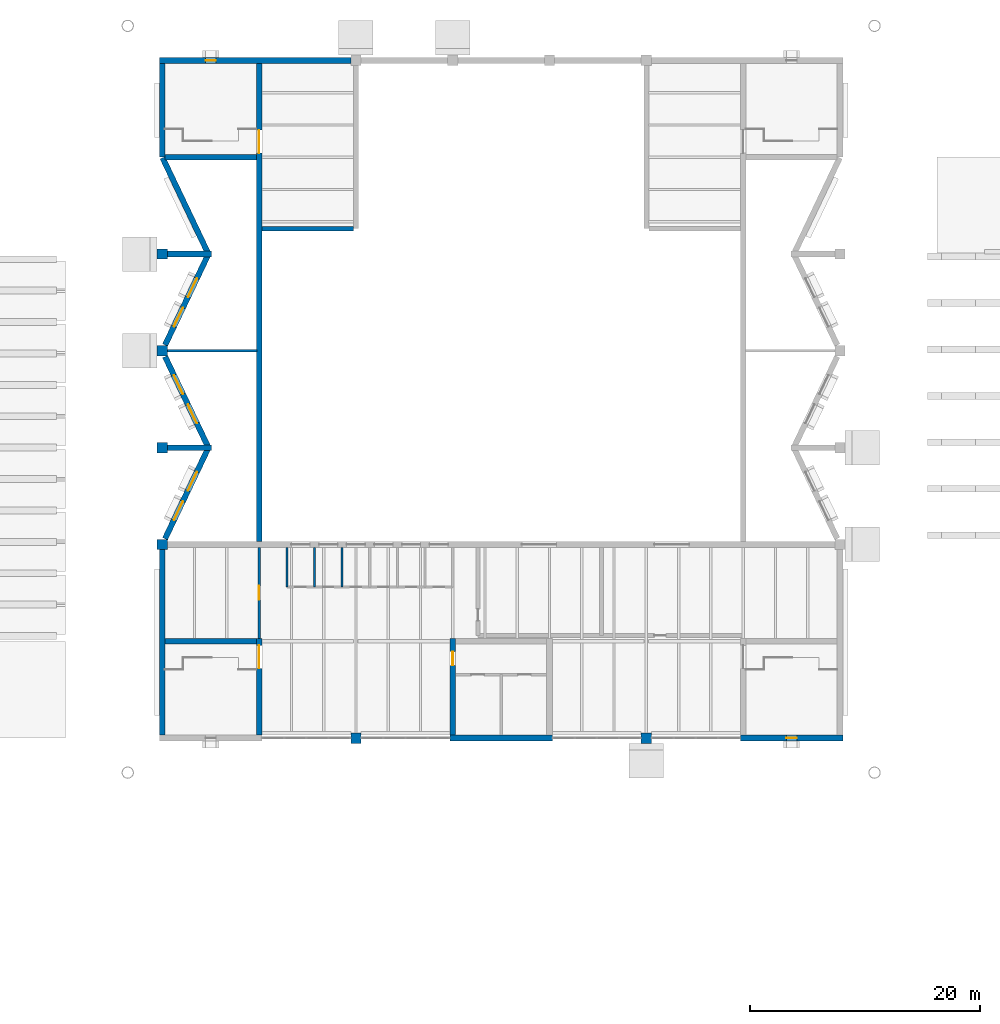
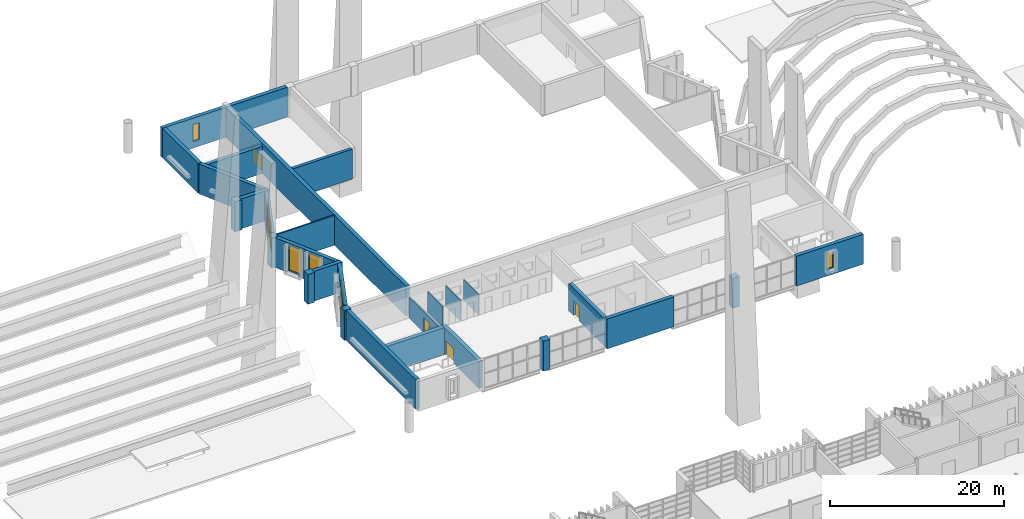
# One storey, part 62 of 88: 28 walls, 8 windows, 4 doors, 12 openings.
"""IFC4 building model written with IfcOpenShell, lengths in metres."""

from ifc_helpers import new_model, si_unit, direction, frame, frame_2d, origin, place, context, subcontext, project, spatial, rectangle, extrude, material, layer, layer_set, type_object, element, fill, save


model = new_model("IFC4")

# Units and contexts
model_context = context("Model", 3, precision=1e-05, world=origin(), true_north=direction((0.0, 1.0)))
body_context = subcontext(model_context, "Body", "Model", "MODEL_VIEW")
ifc_project = project(units=[si_unit("LENGTHUNIT", "METRE"), si_unit("AREAUNIT", "SQUARE_METRE"), si_unit("VOLUMEUNIT", "CUBIC_METRE"), si_unit("PLANEANGLEUNIT", "RADIAN"), si_unit("MASSUNIT", "GRAM", prefix="KILO")], contexts=[model_context])

# Site, building, storey
site_placement = place(None, origin())
site = spatial("IfcSite", under=ifc_project, at=site_placement, CompositionType="ELEMENT")
building_placement = place(site_placement, origin())
building = spatial("IfcBuilding", under=site, at=building_placement, Name="Cresset Court Congress Hotel", CompositionType="ELEMENT")
storey_placement = place(building_placement, frame((0.0, 0.0, 14.39990234375)))
storey = spatial("IfcBuildingStorey", under=building, at=storey_placement, Name="L03", CompositionType="ELEMENT", Elevation=14.39990234375)

# Wall
ifc_material_1 = material(Name="Concrete C35", Category="concrete")
ifc_layer_1 = layer(ifc_material_1, 0.199951171875)
ifc_layer_set_1 = layer_set([ifc_layer_1], Name="Gallery cross wall 200")
wall_type_1 = type_object("IfcWallType", Name="Gallery cross wall 200", PredefinedType="PARTITIONING", material=ifc_layer_set_1)
wall_1_placement = place(storey_placement, frame((59.25, 92.39990234375, 0.0), z_axis=(0.0, 0.0, 1.0), x_axis=(1.0, 0.0, 0.0)))
element("IfcWall", 1, at=wall_1_placement, inside=storey, type_object=wall_type_1, Name="Wall CP-galWL03", PredefinedType="PARTITIONING", context=body_context, shape_type="SweptSolid", body=[
    extrude(rectangle(XDim=7.75, YDim=0.199951171875, at=frame_2d((3.875, 0.0))), origin(), (0.0, 0.0, 1.0), 4.2001953125),
])

# Wall, opening, door
ifc_material_2 = material(Name="Concrete C50", Category="concrete")
ifc_layer_2 = layer(ifc_material_2, 0.5)
ifc_layer_set_2 = layer_set([ifc_layer_2], Name="Hall inner wall 500")
wall_type_2 = type_object("IfcWallType", Name="Hall inner wall 500", PredefinedType="SOLIDWALL", material=ifc_layer_set_2)
wall_2_placement = place(storey_placement, frame((67.199951171875, 75.85009765625, 0.0), z_axis=(0.0, 0.0, 1.0), x_axis=(0.0, 1.0, 0.0)))
wall_2 = element("IfcWall", 2, at=wall_2_placement, inside=storey, type_object=wall_type_2, Name="Wall CI-WL03", PredefinedType="SOLIDWALL", context=body_context, shape_type="SweptSolid", body=[
    extrude(rectangle(XDim=41.5, YDim=0.5, at=frame_2d((20.75, 0.0))), origin(), (0.0, 0.0, 1.0), 4.2001953125),
])
opening_1_placement = place(wall_2_placement, frame((33.699951171875, 0.0, 0.0)))
opening_1 = element("IfcOpeningElement", 3, at=opening_1_placement, cuts=wall_2, Name="Opening DC-03-03", PredefinedType="OPENING", context=body_context, shape_type="SweptSolid", body=[
    extrude(rectangle(XDim=2.0, YDim=2.10009765625, at=frame_2d((1.0, 1.050048828125))), frame((0.0, 0.260009765625, 0.0), z_axis=(0.0, -1.0, 0.0), x_axis=(1.0, 0.0, 0.0)), (0.0, 0.0, 1.0), 0.52001953125),
])
ifc_material_3 = material(Name="Timber", Category="wood")
door_type_1 = type_object("IfcDoorType", Name="Double swing door 2000x2100 FD60", OperationType="DOUBLE_DOOR_DOUBLE_SWING", PredefinedType="DOOR", material=ifc_material_3)
door_1_placement = place(opening_1_placement, origin())
door_1 = element("IfcDoor", 4, at=door_1_placement, inside=storey, type_object=door_type_1, Name="Stair door ST-C3 L03", OperationType="DOUBLE_DOOR_DOUBLE_SWING", OverallHeight=2.10009765625, OverallWidth=2.0, PredefinedType="DOOR", context=body_context, shape_type="SweptSolid", body=[
    extrude(rectangle(XDim=2.0, YDim=2.10009765625, at=frame_2d((1.0, 1.050048828125))), frame((0.0, 0.02490234375, 0.0), z_axis=(0.0, -1.0, 0.0), x_axis=(1.0, 0.0, 0.0)), (0.0, 0.0, 1.0), 0.050048828125),
])
fill(opening_1, door_1)

wall_3_placement = place(storey_placement, frame((67.199951171875, 59.050048828125, 0.0), z_axis=(0.0, 0.0, 1.0), x_axis=(0.0, 1.0, 0.0)))
wall_3 = element("IfcWall", 5, at=wall_3_placement, inside=storey, type_object=wall_type_2, Name="Wall CC-C1EL03", PredefinedType="SOLIDWALL", context=body_context, shape_type="SweptSolid", body=[
    extrude(rectangle(XDim=8.39990234375, YDim=0.5, at=frame_2d((4.199951171875, 0.0))), origin(), (0.0, 0.0, 1.0), 3.800048828125),
])
opening_2_placement = place(wall_3_placement, frame((5.800048828125, 0.0, 0.0)))
opening_2 = element("IfcOpeningElement", 6, at=opening_2_placement, cuts=wall_3, Name="Opening DC-03-01", PredefinedType="OPENING", context=body_context, shape_type="SweptSolid", body=[
    extrude(rectangle(XDim=2.0, YDim=2.10009765625, at=frame_2d((1.0, 1.050048828125))), frame((0.0, 0.260009765625, 0.0), z_axis=(0.0, -1.0, 0.0), x_axis=(1.0, 0.0, 0.0)), (0.0, 0.0, 1.0), 0.52001953125),
])
door_2_placement = place(opening_2_placement, origin())
door_2 = element("IfcDoor", 7, at=door_2_placement, inside=storey, type_object=door_type_1, Name="Stair door ST-C1 L03", OperationType="DOUBLE_DOOR_DOUBLE_SWING", OverallHeight=2.10009765625, OverallWidth=2.0, PredefinedType="DOOR", context=body_context, shape_type="SweptSolid", body=[
    extrude(rectangle(XDim=2.0, YDim=2.10009765625, at=frame_2d((1.0, 1.050048828125))), frame((0.0, 0.02490234375, 0.0), z_axis=(0.0, -1.0, 0.0), x_axis=(1.0, 0.0, 0.0)), (0.0, 0.0, 1.0), 0.050048828125),
])
fill(opening_2, door_2)

# Walls
for number, where, z_axis, x_axis, name in (
    (8, (59.050048828125, 67.199951171875, 0.0), (0.0, 0.0, 1.0), (1.0, 0.0, 0.0), "Wall CC-C1NL03"),
    (9, (59.050048828125, 109.199951171875, 0.0), (0.0, 0.0, 1.0), (1.0, 0.0, 0.0), "Wall CC-C3SL03"),
):
    element("IfcWall", number, at=place(storey_placement, frame(where, z_axis=z_axis, x_axis=x_axis)), inside=storey, type_object=wall_type_2, Name=name, PredefinedType="SOLIDWALL", context=body_context, shape_type="SweptSolid", body=[
        extrude(rectangle(XDim=7.89990234375, YDim=0.5, at=frame_2d((3.949951171875, 0.0))), origin(), (0.0, 0.0, 1.0), 3.800048828125),
    ])

# Wall, opening, door
wall_4_placement = place(storey_placement, frame((84.0, 59.050048828125, 0.0), z_axis=(0.0, 0.0, 1.0), x_axis=(0.0, 1.0, 0.0)))
wall_4 = element("IfcWall", 10, at=wall_4_placement, inside=storey, type_object=wall_type_2, Name="Wall CC-C1WL03", PredefinedType="SOLIDWALL", context=body_context, shape_type="SweptSolid", body=[
    extrude(rectangle(XDim=8.39990234375, YDim=0.5, at=frame_2d((4.199951171875, 0.0))), origin(), (0.0, 0.0, 1.0), 3.800048828125),
])
opening_3_placement = place(wall_4_placement, frame((6.050048828125, 0.0, 0.0)))
opening_3 = element("IfcOpeningElement", 11, at=opening_3_placement, cuts=wall_4, Name="Opening DC-03-05", PredefinedType="OPENING", context=body_context, shape_type="SweptSolid", body=[
    extrude(rectangle(XDim=1.199951171875, YDim=2.10009765625, at=frame_2d((0.60009765625, 1.050048828125))), frame((0.0, 0.260009765625, 0.0), z_axis=(0.0, -1.0, 0.0), x_axis=(1.0, 0.0, 0.0)), (0.0, 0.0, 1.0), 0.52001953125),
])
ifc_material_4 = material(Name="Timber", Category="wood")
door_type_2 = type_object("IfcDoorType", Name="Single swing door 1200x2100 FD60", OperationType="SINGLE_SWING_LEFT", PredefinedType="DOOR", material=ifc_material_4)
door_3_placement = place(opening_3_placement, origin())
door_3 = element("IfcDoor", 12, at=door_3_placement, inside=storey, type_object=door_type_2, Name="Lift lobby door L03", OperationType="SINGLE_SWING_LEFT", OverallHeight=2.10009765625, OverallWidth=1.199951171875, PredefinedType="DOOR", context=body_context, shape_type="SweptSolid", body=[
    extrude(rectangle(XDim=1.199951171875, YDim=2.10009765625, at=frame_2d((0.60009765625, 1.050048828125))), frame((0.0, 0.02490234375, 0.0), z_axis=(0.0, -1.0, 0.0), x_axis=(1.0, 0.0, 0.0)), (0.0, 0.0, 1.0), 0.050048828125),
])
fill(opening_3, door_3)

# Wall
ifc_material_5 = material(Name="Limestone-faced precast concrete C50", Category="masonry")
ifc_layer_3 = layer(ifc_material_5, 0.5)
ifc_layer_set_3 = layer_set([ifc_layer_3], Name="Hall perimeter wall 500")
wall_type_3 = type_object("IfcWallType", Name="Hall perimeter wall 500", PredefinedType="SOLIDWALL", material=ifc_layer_set_3)
wall_5_placement = place(storey_placement, frame((92.64990234375, 58.800048828125, 0.0), z_axis=(0.0, 0.0, 1.0), x_axis=(-1.0, 0.0, 0.0)))
element("IfcWall", 13, at=wall_5_placement, inside=storey, type_object=wall_type_3, Name="Wall CW-SL03-2", PredefinedType="SOLIDWALL", context=body_context, shape_type="SweptSolid", body=[
    extrude(rectangle(XDim=8.89990234375, YDim=0.5, at=frame_2d((4.449951171875, 0.0))), origin(), (0.0, 0.0, 1.0), 4.2001953125),
])

# Wall, opening, window
wall_6_placement = place(storey_placement, frame((117.85009765625, 58.800048828125, 0.0), z_axis=(0.0, 0.0, 1.0), x_axis=(-1.0, 0.0, 0.0)))
wall_6 = element("IfcWall", 14, at=wall_6_placement, inside=storey, type_object=wall_type_3, Name="Wall CW-SL03-3", PredefinedType="SOLIDWALL", context=body_context, shape_type="SweptSolid", body=[
    extrude(rectangle(XDim=8.900146484375, YDim=0.5, at=frame_2d((4.4501953125, 0.0))), origin(), (0.0, 0.0, 1.0), 4.2001953125),
])
opening_4_placement = place(wall_6_placement, frame((4.0, 0.0, 0.89990234375)))
opening_4 = element("IfcOpeningElement", 15, at=opening_4_placement, cuts=wall_6, Name="Opening NC-03-C2", PredefinedType="OPENING", context=body_context, shape_type="SweptSolid", body=[
    extrude(rectangle(XDim=0.89990234375, YDim=2.39990234375, at=frame_2d((0.449951171875, 1.199951171875))), frame((0.0, 0.260009765625, 0.0), z_axis=(0.0, -1.0, 0.0), x_axis=(1.0, 0.0, 0.0)), (0.0, 0.0, 1.0), 0.52001953125),
])
ifc_material_6 = material(Name="Aluminium and glass", Category="aluminium")
window_type_1 = type_object("IfcWindowType", Name="Fixed window 900x2400", PartitioningType="SINGLE_PANEL", PredefinedType="WINDOW", material=ifc_material_6)
window_1_placement = place(opening_4_placement, origin())
window_1 = element("IfcWindow", 16, at=window_1_placement, inside=storey, type_object=window_type_1, Name="Window NC-03-C2", OverallHeight=2.39990234375, OverallWidth=0.89990234375, PartitioningType="SINGLE_PANEL", PredefinedType="WINDOW", context=body_context, shape_type="SweptSolid", body=[
    extrude(rectangle(XDim=0.89990234375, YDim=2.39990234375, at=frame_2d((0.449951171875, 1.199951171875))), frame((0.0, 0.030029296875, 0.0), z_axis=(0.0, -1.0, 0.0), x_axis=(1.0, 0.0, 0.0)), (0.0, 0.0, 1.0), 0.06005859375),
])
fill(opening_4, window_1)

wall_7_placement = place(storey_placement, frame((58.550048828125, 117.60009765625, 0.0), z_axis=(0.0, 0.0, 1.0), x_axis=(1.0, 0.0, 0.0)))
wall_7 = element("IfcWall", 17, at=wall_7_placement, inside=storey, type_object=wall_type_3, Name="Wall CW-NL03-5", PredefinedType="SOLIDWALL", context=body_context, shape_type="SweptSolid", body=[
    extrude(rectangle(XDim=16.599853515625, YDim=0.5, at=frame_2d((8.2998046875, 0.0))), origin(), (0.0, 0.0, 1.0), 4.2001953125),
])
opening_5_placement = place(wall_7_placement, frame((4.0, 0.0, 0.89990234375)))
opening_5 = element("IfcOpeningElement", 18, at=opening_5_placement, cuts=wall_7, Name="Opening NC-03-C3", PredefinedType="OPENING", context=body_context, shape_type="SweptSolid", body=[
    extrude(rectangle(XDim=0.89990234375, YDim=2.39990234375, at=frame_2d((0.449951171875, 1.199951171875))), frame((0.0, 0.260009765625, 0.0), z_axis=(0.0, -1.0, 0.0), x_axis=(1.0, 0.0, 0.0)), (0.0, 0.0, 1.0), 0.52001953125),
])
window_2_placement = place(opening_5_placement, origin())
window_2 = element("IfcWindow", 19, at=window_2_placement, inside=storey, type_object=window_type_1, Name="Window NC-03-C3", OverallHeight=2.39990234375, OverallWidth=0.89990234375, PartitioningType="SINGLE_PANEL", PredefinedType="WINDOW", context=body_context, shape_type="SweptSolid", body=[
    extrude(rectangle(XDim=0.89990234375, YDim=2.39990234375, at=frame_2d((0.449951171875, 1.199951171875))), frame((0.0, 0.030029296875, 0.0), z_axis=(0.0, -1.0, 0.0), x_axis=(1.0, 0.0, 0.0)), (0.0, 0.0, 1.0), 0.06005859375),
])
fill(opening_5, window_2)

# Walls
wall_8_placement = place(storey_placement, frame((58.800048828125, 109.199951171875, 0.0), z_axis=(0.0, 0.0, 1.0), x_axis=(0.0, 1.0, 0.0)))
element("IfcWall", 20, at=wall_8_placement, inside=storey, type_object=wall_type_3, Name="Wall CW-WL03-1.1", PredefinedType="SOLIDWALL", context=body_context, shape_type="SweptSolid", body=[
    extrude(rectangle(XDim=8.150146484375, YDim=0.5, at=frame_2d((4.0751953125, 0.0))), origin(), (0.0, 0.0, 1.0), 4.2001953125),
])
wall_9_placement = place(storey_placement, frame((62.734619140625, 100.9375, 0.0), z_axis=(0.0, 0.0, 1.0), x_axis=(-0.429953375566, 0.902851092284, 0.0)))
element("IfcWall", 21, at=wall_9_placement, inside=storey, type_object=wall_type_3, Name="Wall CW-WL03-1.2", PredefinedType="SOLIDWALL", context=body_context, shape_type="SweptSolid", body=[
    extrude(rectangle(XDim=9.09619140625, YDim=0.5, at=frame_2d((4.548095703125, 0.0))), origin(), (0.0, 0.0, 1.0), 4.2001953125),
])

# Wall, openings, windows
wall_10_placement = place(storey_placement, frame((59.0380859375, 92.89990234375, 0.0), z_axis=(0.0, 0.0, 1.0), x_axis=(0.429934682616, 0.902859993955, 0.0)))
wall_10 = element("IfcWall", 22, at=wall_10_placement, inside=storey, type_object=wall_type_3, Name="Wall CW-WL03-2", PredefinedType="SOLIDWALL", context=body_context, shape_type="SweptSolid", body=[
    extrude(rectangle(XDim=8.597900390625, YDim=0.5, at=frame_2d((4.298828125, 0.0))), origin(), (0.0, 0.0, 1.0), 4.2001953125),
])
opening_6_placement = place(wall_10_placement, frame((4.6103515625, 0.0, 0.300048828125)))
opening_6 = element("IfcOpeningElement", 23, at=opening_6_placement, cuts=wall_10, Name="Opening NC-03-W0197", PredefinedType="OPENING", context=body_context, shape_type="SweptSolid", body=[
    extrude(rectangle(XDim=1.800048828125, YDim=3.60009765625, at=frame_2d((0.89990234375, 1.800048828125))), frame((0.0, 0.260009765625, 0.0), z_axis=(0.0, -1.0, 0.0), x_axis=(1.0, 0.0, 0.0)), (0.0, 0.0, 1.0), 0.52001953125),
])
opening_7_placement = place(wall_10_placement, frame((1.785888671875, 0.0, 0.300048828125)))
opening_7 = element("IfcOpeningElement", 24, at=opening_7_placement, cuts=wall_10, Name="Opening NC-03-W0222", PredefinedType="OPENING", context=body_context, shape_type="SweptSolid", body=[
    extrude(rectangle(XDim=1.800048828125, YDim=3.60009765625, at=frame_2d((0.89990234375, 1.800048828125))), frame((0.0, 0.260009765625, 0.0), z_axis=(0.0, -1.0, 0.0), x_axis=(1.0, 0.0, 0.0)), (0.0, 0.0, 1.0), 0.52001953125),
])
ifc_material_7 = material(Name="Aluminium and glass", Category="aluminium")
window_type_2 = type_object("IfcWindowType", Name="Fixed window 1800x3600", PartitioningType="SINGLE_PANEL", PredefinedType="WINDOW", material=ifc_material_7)
window_3_placement = place(opening_6_placement, origin())
window_3 = element("IfcWindow", 25, at=window_3_placement, inside=storey, type_object=window_type_2, Name="Window NC-03-W0197", OverallHeight=3.60009765625, OverallWidth=1.800048828125, PartitioningType="SINGLE_PANEL", PredefinedType="WINDOW", context=body_context, shape_type="SweptSolid", body=[
    extrude(rectangle(XDim=1.800048828125, YDim=3.60009765625, at=frame_2d((0.89990234375, 1.800048828125))), frame((0.0, 0.030029296875, 0.0), z_axis=(0.0, -1.0, 0.0), x_axis=(1.0, 0.0, 0.0)), (0.0, 0.0, 1.0), 0.06005859375),
])
fill(opening_6, window_3)
window_4_placement = place(opening_7_placement, origin())
window_4 = element("IfcWindow", 26, at=window_4_placement, inside=storey, type_object=window_type_2, Name="Window NC-03-W0222", OverallHeight=3.60009765625, OverallWidth=1.800048828125, PartitioningType="SINGLE_PANEL", PredefinedType="WINDOW", context=body_context, shape_type="SweptSolid", body=[
    extrude(rectangle(XDim=1.800048828125, YDim=3.60009765625, at=frame_2d((0.89990234375, 1.800048828125))), frame((0.0, 0.030029296875, 0.0), z_axis=(0.0, -1.0, 0.0), x_axis=(1.0, 0.0, 0.0)), (0.0, 0.0, 1.0), 0.06005859375),
])
fill(opening_7, window_4)

wall_11_placement = place(storey_placement, frame((62.734619140625, 84.137451171875, 0.0), z_axis=(0.0, 0.0, 1.0), x_axis=(-0.429945705131, 0.902854745039, 0.0)))
wall_11 = element("IfcWall", 27, at=wall_11_placement, inside=storey, type_object=wall_type_3, Name="Wall CW-WL03-3", PredefinedType="SOLIDWALL", context=body_context, shape_type="SweptSolid", body=[
    extrude(rectangle(XDim=8.59765625, YDim=0.5, at=frame_2d((4.298828125, 0.0))), origin(), (0.0, 0.0, 1.0), 4.2001953125),
])
opening_8_placement = place(wall_11_placement, frame((5.01171875, 0.0, 0.300048828125)))
opening_8 = element("IfcOpeningElement", 28, at=opening_8_placement, cuts=wall_11, Name="Opening NC-03-W0281", PredefinedType="OPENING", context=body_context, shape_type="SweptSolid", body=[
    extrude(rectangle(XDim=1.800048828125, YDim=3.60009765625, at=frame_2d((0.89990234375, 1.800048828125))), frame((0.0, 0.260009765625, 0.0), z_axis=(0.0, -1.0, 0.0), x_axis=(1.0, 0.0, 0.0)), (0.0, 0.0, 1.0), 0.52001953125),
])
opening_9_placement = place(wall_11_placement, frame((2.1875, 0.0, 0.300048828125)))
opening_9 = element("IfcOpeningElement", 29, at=opening_9_placement, cuts=wall_11, Name="Opening NC-03-W0306", PredefinedType="OPENING", context=body_context, shape_type="SweptSolid", body=[
    extrude(rectangle(XDim=1.800048828125, YDim=3.60009765625, at=frame_2d((0.89990234375, 1.800048828125))), frame((0.0, 0.260009765625, 0.0), z_axis=(0.0, -1.0, 0.0), x_axis=(1.0, 0.0, 0.0)), (0.0, 0.0, 1.0), 0.52001953125),
])
window_5_placement = place(opening_8_placement, origin())
window_5 = element("IfcWindow", 30, at=window_5_placement, inside=storey, type_object=window_type_2, Name="Window NC-03-W0281", OverallHeight=3.60009765625, OverallWidth=1.800048828125, PartitioningType="SINGLE_PANEL", PredefinedType="WINDOW", context=body_context, shape_type="SweptSolid", body=[
    extrude(rectangle(XDim=1.800048828125, YDim=3.60009765625, at=frame_2d((0.89990234375, 1.800048828125))), frame((0.0, 0.030029296875, 0.0), z_axis=(0.0, -1.0, 0.0), x_axis=(1.0, 0.0, 0.0)), (0.0, 0.0, 1.0), 0.06005859375),
])
fill(opening_8, window_5)
window_6_placement = place(opening_9_placement, origin())
window_6 = element("IfcWindow", 31, at=window_6_placement, inside=storey, type_object=window_type_2, Name="Window NC-03-W0306", OverallHeight=3.60009765625, OverallWidth=1.800048828125, PartitioningType="SINGLE_PANEL", PredefinedType="WINDOW", context=body_context, shape_type="SweptSolid", body=[
    extrude(rectangle(XDim=1.800048828125, YDim=3.60009765625, at=frame_2d((0.89990234375, 1.800048828125))), frame((0.0, 0.030029296875, 0.0), z_axis=(0.0, -1.0, 0.0), x_axis=(1.0, 0.0, 0.0)), (0.0, 0.0, 1.0), 0.06005859375),
])
fill(opening_9, window_6)

wall_12_placement = place(storey_placement, frame((59.0380859375, 76.10009765625, 0.0), z_axis=(0.0, 0.0, 1.0), x_axis=(0.429945705131, 0.902854745039, 0.0)))
wall_12 = element("IfcWall", 32, at=wall_12_placement, inside=storey, type_object=wall_type_3, Name="Wall CW-WL03-4", PredefinedType="SOLIDWALL", context=body_context, shape_type="SweptSolid", body=[
    extrude(rectangle(XDim=8.59765625, YDim=0.5, at=frame_2d((4.298828125, 0.0))), origin(), (0.0, 0.0, 1.0), 4.2001953125),
])
opening_10_placement = place(wall_12_placement, frame((4.6103515625, 0.0, 0.300048828125)))
opening_10 = element("IfcOpeningElement", 33, at=opening_10_placement, cuts=wall_12, Name="Opening NC-03-W0365", PredefinedType="OPENING", context=body_context, shape_type="SweptSolid", body=[
    extrude(rectangle(XDim=1.800048828125, YDim=3.60009765625, at=frame_2d((0.89990234375, 1.800048828125))), frame((0.0, 0.260009765625, 0.0), z_axis=(0.0, -1.0, 0.0), x_axis=(1.0, 0.0, 0.0)), (0.0, 0.0, 1.0), 0.52001953125),
])
opening_11_placement = place(wall_12_placement, frame((1.785888671875, 0.0, 0.300048828125)))
opening_11 = element("IfcOpeningElement", 34, at=opening_11_placement, cuts=wall_12, Name="Opening NC-03-W0390", PredefinedType="OPENING", context=body_context, shape_type="SweptSolid", body=[
    extrude(rectangle(XDim=1.800048828125, YDim=3.60009765625, at=frame_2d((0.89990234375, 1.800048828125))), frame((0.0, 0.260009765625, 0.0), z_axis=(0.0, -1.0, 0.0), x_axis=(1.0, 0.0, 0.0)), (0.0, 0.0, 1.0), 0.52001953125),
])
window_7_placement = place(opening_10_placement, origin())
window_7 = element("IfcWindow", 35, at=window_7_placement, inside=storey, type_object=window_type_2, Name="Window NC-03-W0365", OverallHeight=3.60009765625, OverallWidth=1.800048828125, PartitioningType="SINGLE_PANEL", PredefinedType="WINDOW", context=body_context, shape_type="SweptSolid", body=[
    extrude(rectangle(XDim=1.800048828125, YDim=3.60009765625, at=frame_2d((0.89990234375, 1.800048828125))), frame((0.0, 0.030029296875, 0.0), z_axis=(0.0, -1.0, 0.0), x_axis=(1.0, 0.0, 0.0)), (0.0, 0.0, 1.0), 0.06005859375),
])
fill(opening_10, window_7)
window_8_placement = place(opening_11_placement, origin())
window_8 = element("IfcWindow", 36, at=window_8_placement, inside=storey, type_object=window_type_2, Name="Window NC-03-W0390", OverallHeight=3.60009765625, OverallWidth=1.800048828125, PartitioningType="SINGLE_PANEL", PredefinedType="WINDOW", context=body_context, shape_type="SweptSolid", body=[
    extrude(rectangle(XDim=1.800048828125, YDim=3.60009765625, at=frame_2d((0.89990234375, 1.800048828125))), frame((0.0, 0.030029296875, 0.0), z_axis=(0.0, -1.0, 0.0), x_axis=(1.0, 0.0, 0.0)), (0.0, 0.0, 1.0), 0.06005859375),
])
fill(opening_11, window_8)

# Walls
wall_13_placement = place(storey_placement, frame((58.800048828125, 59.050048828125, 0.0), z_axis=(0.0, 0.0, 1.0), x_axis=(0.0, 1.0, 0.0)))
element("IfcWall", 37, at=wall_13_placement, inside=storey, type_object=wall_type_3, Name="Wall CW-WL03-5", PredefinedType="SOLIDWALL", context=body_context, shape_type="SweptSolid", body=[
    extrude(rectangle(XDim=16.099853515625, YDim=0.5, at=frame_2d((8.0498046875, 0.0))), origin(), (0.0, 0.0, 1.0), 4.2001953125),
])
for number, where, z_axis, x_axis, name in (
    (38, (63.050048828125, 100.800048828125, 0.0), (0.0, 0.0, 1.0), (-1.0, 0.0, 0.0), "Wall CW-WL03-R1"),
    (39, (63.050048828125, 84.0, 0.0), (0.0, 0.0, 1.0), (-1.0, 0.0, 0.0), "Wall CW-WL03-R2"),
):
    element("IfcWall", number, at=place(storey_placement, frame(where, z_axis=z_axis, x_axis=x_axis)), inside=storey, type_object=wall_type_3, Name=name, PredefinedType="SOLIDWALL", context=body_context, shape_type="SweptSolid", body=[
        extrude(rectangle(XDim=3.800048828125, YDim=0.5, at=frame_2d((1.89990234375, 0.0))), origin(), (0.0, 0.0, 1.0), 4.2001953125),
    ])
ifc_material_8 = material(Name="Concrete C50", Category="concrete")
ifc_layer_4 = layer(ifc_material_8, 0.89990234375)
ifc_layer_set_4 = layer_set([ifc_layer_4], Name="Hall pilaster 900x900")
wall_type_4 = type_object("IfcWallType", Name="Hall pilaster 900x900", PredefinedType="SOLIDWALL", material=ifc_layer_set_4)
wall_14_placement = place(storey_placement, frame((75.14990234375, 58.800048828125, 0.0), z_axis=(0.0, 0.0, 1.0), x_axis=(1.0, 0.0, 0.0)))
element("IfcWall", 40, at=wall_14_placement, inside=storey, type_object=wall_type_4, Name="Pilaster P-S1", PredefinedType="SOLIDWALL", context=body_context, shape_type="SweptSolid", body=[
    extrude(rectangle(XDim=0.900146484375, YDim=0.89990234375, at=frame_2d((0.4501953125, 0.0))), origin(), (0.0, 0.0, 1.0), 4.2001953125),
])
for number, where, z_axis, x_axis, name in (
    (41, (100.35009765625, 58.800048828125, 0.0), (0.0, 0.0, 1.0), (1.0, 0.0, 0.0), "Pilaster P-S2"),
    (42, (58.800048828125, 101.25, 0.0), (0.0, 0.0, 1.0), (0.0, -1.0, 0.0), "Pilaster P-W1"),
):
    element("IfcWall", number, at=place(storey_placement, frame(where, z_axis=z_axis, x_axis=x_axis)), inside=storey, type_object=wall_type_4, Name=name, PredefinedType="SOLIDWALL", context=body_context, shape_type="SweptSolid", body=[
        extrude(rectangle(XDim=0.89990234375, YDim=0.89990234375, at=frame_2d((0.449951171875, 0.0))), origin(), (0.0, 0.0, 1.0), 4.2001953125),
    ])
wall_15_placement = place(storey_placement, frame((58.800048828125, 92.85009765625, 0.0), z_axis=(0.0, 0.0, 1.0), x_axis=(0.0, -1.0, 0.0)))
element("IfcWall", 43, at=wall_15_placement, inside=storey, type_object=wall_type_4, Name="Pilaster P-W2", PredefinedType="SOLIDWALL", context=body_context, shape_type="SweptSolid", body=[
    extrude(rectangle(XDim=0.900146484375, YDim=0.89990234375, at=frame_2d((0.4501953125, 0.0))), origin(), (0.0, 0.0, 1.0), 4.2001953125),
])
wall_16_placement = place(storey_placement, frame((58.800048828125, 84.449951171875, 0.0), z_axis=(0.0, 0.0, 1.0), x_axis=(0.0, -1.0, 0.0)))
element("IfcWall", 44, at=wall_16_placement, inside=storey, type_object=wall_type_4, Name="Pilaster P-W3", PredefinedType="SOLIDWALL", context=body_context, shape_type="SweptSolid", body=[
    extrude(rectangle(XDim=0.89990234375, YDim=0.89990234375, at=frame_2d((0.449951171875, 0.0))), origin(), (0.0, 0.0, 1.0), 4.2001953125),
])
wall_17_placement = place(storey_placement, frame((58.800048828125, 76.050048828125, 0.0), z_axis=(0.0, 0.0, 1.0), x_axis=(0.0, -1.0, 0.0)))
element("IfcWall", 45, at=wall_17_placement, inside=storey, type_object=wall_type_4, Name="Pilaster P-W4", PredefinedType="SOLIDWALL", context=body_context, shape_type="SweptSolid", body=[
    extrude(rectangle(XDim=0.900146484375, YDim=0.89990234375, at=frame_2d((0.4501953125, 0.0))), origin(), (0.0, 0.0, 1.0), 4.2001953125),
])
ifc_material_9 = material(Name="Concrete C50", Category="concrete")
ifc_layer_5 = layer(ifc_material_9, 0.39990234375)
ifc_layer_set_5 = layer_set([ifc_layer_5], Name="Hall stage wall 400")
wall_type_5 = type_object("IfcWallType", Name="Hall stage wall 400", PredefinedType="SOLIDWALL", material=ifc_layer_set_5)
wall_18_placement = place(storey_placement, frame((67.449951171875, 103.0, 0.0), z_axis=(0.0, 0.0, 1.0), x_axis=(1.0, 0.0, 0.0)))
element("IfcWall", 46, at=wall_18_placement, inside=storey, type_object=wall_type_5, Name="Wall CW-1L03", PredefinedType="SOLIDWALL", context=body_context, shape_type="SweptSolid", body=[
    extrude(rectangle(XDim=7.925048828125, YDim=0.39990234375, at=frame_2d((3.96240234375, 0.0))), origin(), (0.0, 0.0, 1.0), 4.2001953125),
])
ifc_material_10 = material(Name="Acoustic double-leaf plasterboard on steel studs", Category="steel")
ifc_layer_6 = layer(ifc_material_10, 0.179931640625)
ifc_layer_set_6 = layer_set([ifc_layer_6], Name="Interpreter booth wall 180")
wall_type_6 = type_object("IfcWallType", Name="Interpreter booth wall 180", PredefinedType="PARTITIONING", material=ifc_layer_set_6)
for number, where, z_axis, x_axis, name in (
    (47, (69.60009765625, 71.89990234375, 0.0), (0.0, 0.0, 1.0), (0.0, 1.0, 0.0), "Wall CP-booth.0"),
    (48, (72.0, 71.89990234375, 0.0), (0.0, 0.0, 1.0), (0.0, 1.0, 0.0), "Wall CP-booth.1"),
    (49, (74.39990234375, 71.89990234375, 0.0), (0.0, 0.0, 1.0), (0.0, 1.0, 0.0), "Wall CP-booth.2"),
):
    element("IfcWall", number, at=place(storey_placement, frame(where, z_axis=z_axis, x_axis=x_axis)), inside=storey, type_object=wall_type_6, Name=name, PredefinedType="PARTITIONING", context=body_context, shape_type="SweptSolid", body=[
        extrude(rectangle(XDim=3.4501953125, YDim=0.179931640625, at=frame_2d((1.72509765625, 0.0))), origin(), (0.0, 0.0, 1.0), 2.85009765625),
    ])

# Wall, opening, door
ifc_material_11 = material(Name="Concrete C35", Category="concrete")
ifc_layer_7 = layer(ifc_material_11, 0.199951171875)
ifc_layer_set_7 = layer_set([ifc_layer_7], Name="Plant room wall 200")
wall_type_7 = type_object("IfcWallType", Name="Plant room wall 200", PredefinedType="PARTITIONING", material=ifc_layer_set_7)
wall_19_placement = place(storey_placement, frame((67.199951171875, 67.449951171875, 0.0), z_axis=(0.0, 0.0, 1.0), x_axis=(0.0, 1.0, 0.0)))
wall_19 = element("IfcWall", 50, at=wall_19_placement, inside=storey, type_object=wall_type_7, Name="Wall CP-plant.L03", PredefinedType="PARTITIONING", context=body_context, shape_type="SweptSolid", body=[
    extrude(rectangle(XDim=7.900146484375, YDim=0.199951171875, at=frame_2d((3.9501953125, 0.0))), origin(), (0.0, 0.0, 1.0), 2.85009765625),
])
opening_12_placement = place(wall_19_placement, frame((3.35009765625, 0.0, 0.0)))
opening_12 = element("IfcOpeningElement", 51, at=opening_12_placement, cuts=wall_19, Name="Opening DC-03-10", PredefinedType="OPENING", context=body_context, shape_type="SweptSolid", body=[
    extrude(rectangle(XDim=1.199951171875, YDim=2.10009765625, at=frame_2d((0.60009765625, 1.050048828125))), frame((0.0, 0.10986328125, 0.0), z_axis=(0.0, -1.0, 0.0), x_axis=(1.0, 0.0, 0.0)), (0.0, 0.0, 1.0), 0.219970703125),
])
ifc_material_12 = material(Name="Timber", Category="wood")
door_type_3 = type_object("IfcDoorType", Name="Single swing door 1200x2100 FD90", OperationType="SINGLE_SWING_LEFT", PredefinedType="DOOR", material=ifc_material_12)
door_4_placement = place(opening_12_placement, origin())
door_4 = element("IfcDoor", 52, at=door_4_placement, inside=storey, type_object=door_type_3, Name="Plant room door", OperationType="SINGLE_SWING_LEFT", OverallHeight=2.10009765625, OverallWidth=1.199951171875, PredefinedType="DOOR", context=body_context, shape_type="SweptSolid", body=[
    extrude(rectangle(XDim=1.199951171875, YDim=2.10009765625, at=frame_2d((0.60009765625, 1.050048828125))), frame((0.0, 0.02490234375, 0.0), z_axis=(0.0, -1.0, 0.0), x_axis=(1.0, 0.0, 0.0)), (0.0, 0.0, 1.0), 0.050048828125),
])
fill(opening_12, door_4)

save(model, "model.ifc")
